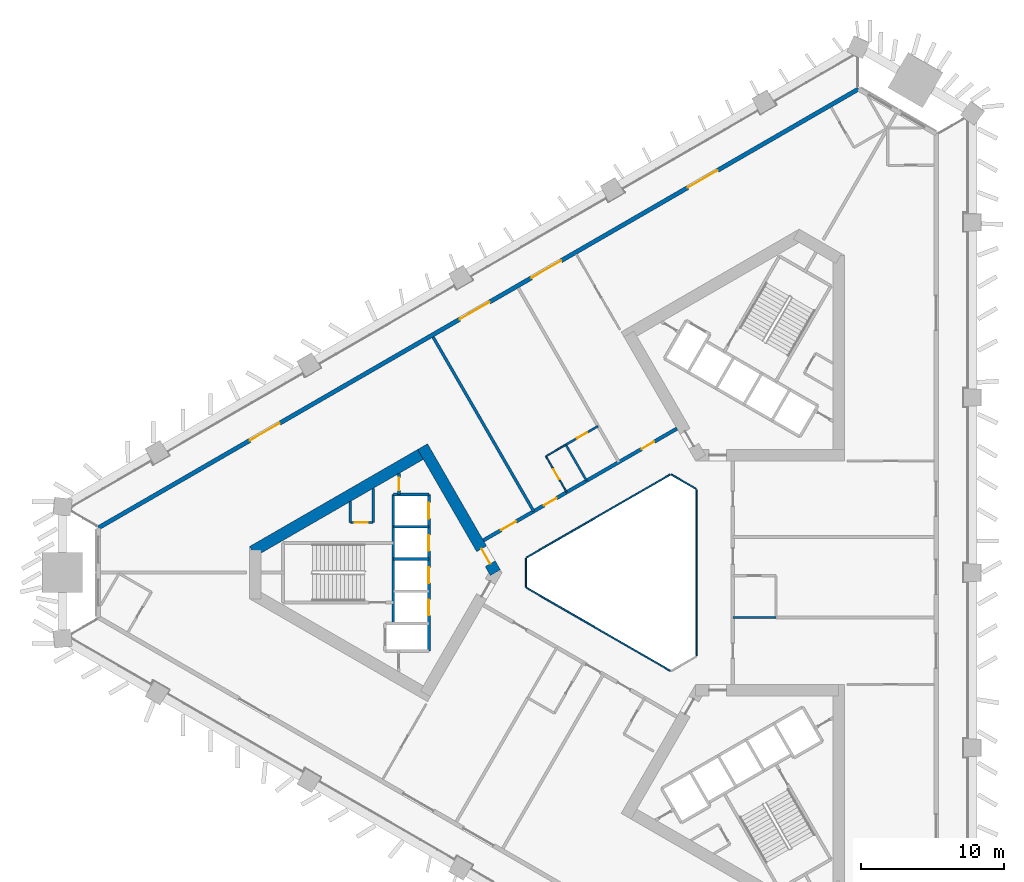
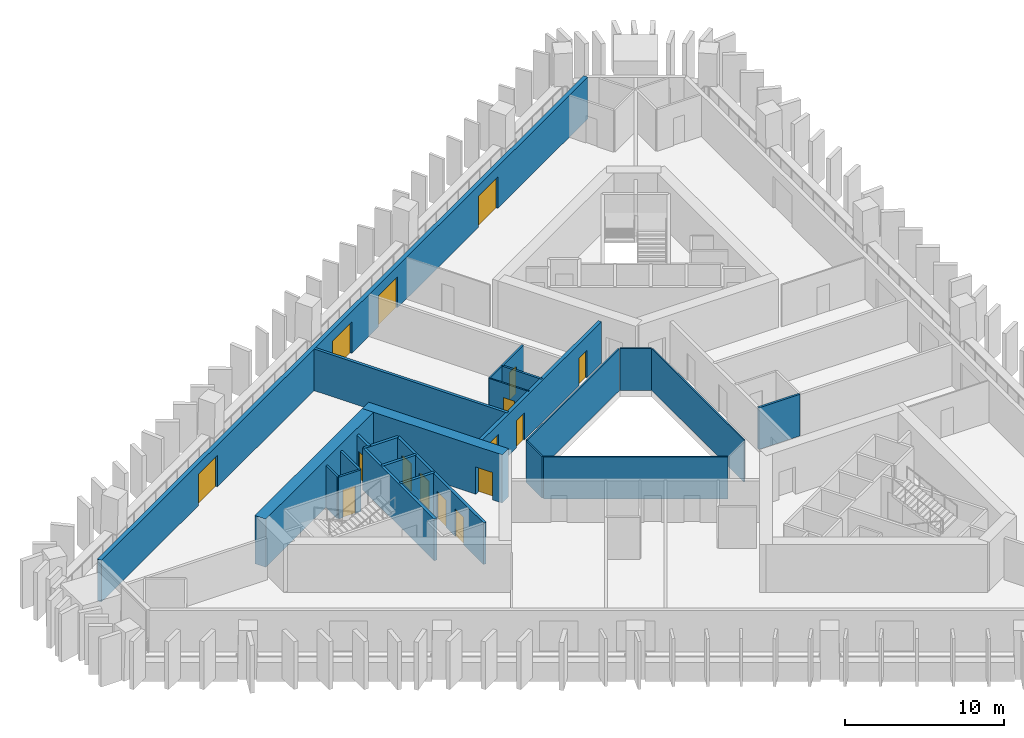
# One storey, part 4 of 10: 24 walls, 16 doors, 16 openings.
"""IFC4 building model written with IfcOpenShell, lengths in metres."""

from ifc_helpers import new_model, si_unit, direction, frame, frame_2d, origin, place, context, subcontext, project, spatial, rectangle, extrude, material, layer, layer_set, type_object, element, fill, save


model = new_model("IFC4")

# Units and contexts
model_context = context("Model", 3, precision=1e-05, world=origin(), true_north=direction((0.0, 1.0)))
body_context = subcontext(model_context, "Body", "Model", "MODEL_VIEW")
ifc_project = project(units=[si_unit("LENGTHUNIT", "METRE"), si_unit("AREAUNIT", "SQUARE_METRE"), si_unit("VOLUMEUNIT", "CUBIC_METRE"), si_unit("PLANEANGLEUNIT", "RADIAN"), si_unit("MASSUNIT", "GRAM", prefix="KILO")], contexts=[model_context])

# Site, building, storey
site_placement = place(None, origin())
site = spatial("IfcSite", under=ifc_project, at=site_placement, CompositionType="ELEMENT")
building_placement = place(site_placement, origin())
building = spatial("IfcBuilding", under=site, at=building_placement, Name="Jabali Bay Hotel Tower and Convention Centre", CompositionType="ELEMENT")
storey_placement = place(building_placement, frame((0.0, 0.0, 41.10009765625)))
storey = spatial("IfcBuildingStorey", under=building, at=storey_placement, Name="L08", CompositionType="ELEMENT", Elevation=41.10009765625)

# Walls
ifc_material_1 = material(Name="Fire-resistant glazing", Category="glass")
ifc_layer_1 = layer(ifc_material_1, 0.10009765625)
ifc_layer_set_1 = layer_set([ifc_layer_1], Name="Fire-resistant glazing")
wall_type_1 = type_object("IfcWallType", Name="Atrium glazed screen 100", PredefinedType="PARTITIONING", material=ifc_layer_set_1)
wall_1_placement = place(storey_placement, frame((79.56005859375, 74.205810546875, 0.0), z_axis=(0.0, 0.0, 1.0), x_axis=(0.0, 1.0, 0.0)))
element("IfcWall", 1, at=wall_1_placement, inside=storey, type_object=wall_type_1, Name="Atrium screen 1 L08", PredefinedType="PARTITIONING", context=body_context, shape_type="SweptSolid", body=[
    extrude(rectangle(XDim=11.58837890625, YDim=0.10009765625, at=frame_2d((5.794189453125, 0.0))), origin(), (0.0, 0.0, 1.0), 3.199951171875),
])
wall_2_placement = place(storey_placement, frame((79.530029296875, 85.84619140625, 0.0), z_axis=(0.0, 0.0, 1.0), x_axis=(-0.866041268327, 0.499972520799, 0.0)))
element("IfcWall", 2, at=wall_2_placement, inside=storey, type_object=wall_type_1, Name="Atrium screen 2 L08", PredefinedType="PARTITIONING", context=body_context, shape_type="SweptSolid", body=[
    extrude(rectangle(XDim=2.0, YDim=0.10009765625, at=frame_2d((1.0, 0.0))), origin(), (0.0, 0.0, 1.0), 3.199951171875),
])
wall_3_placement = place(storey_placement, frame((77.738037109375, 86.84619140625, 0.0), z_axis=(0.0, 0.0, 1.0), x_axis=(-0.866026658274, -0.499997827154, 0.0)))
element("IfcWall", 3, at=wall_3_placement, inside=storey, type_object=wall_type_1, Name="Atrium screen 3 L08", PredefinedType="PARTITIONING", context=body_context, shape_type="SweptSolid", body=[
    extrude(rectangle(XDim=11.58837890625, YDim=0.10009765625, at=frame_2d((5.794189453125, 0.0))), origin(), (0.0, 0.0, 1.0), 3.199951171875),
])
wall_4_placement = place(storey_placement, frame((67.672119140625, 81.0, 0.0), z_axis=(0.0, 0.0, 1.0), x_axis=(0.0, -1.0, 0.0)))
element("IfcWall", 4, at=wall_4_placement, inside=storey, type_object=wall_type_1, Name="Atrium screen 4 L08", PredefinedType="PARTITIONING", context=body_context, shape_type="SweptSolid", body=[
    extrude(rectangle(XDim=2.0, YDim=0.10009765625, at=frame_2d((1.0, 0.0))), origin(), (0.0, 0.0, 1.0), 3.199951171875),
])
wall_5_placement = place(storey_placement, frame((67.7021484375, 78.947998046875, 0.0), z_axis=(0.0, 0.0, 1.0), x_axis=(0.866026658274, -0.499997827154, 0.0)))
element("IfcWall", 5, at=wall_5_placement, inside=storey, type_object=wall_type_1, Name="Atrium screen 5 L08", PredefinedType="PARTITIONING", context=body_context, shape_type="SweptSolid", body=[
    extrude(rectangle(XDim=11.58837890625, YDim=0.10009765625, at=frame_2d((5.794189453125, 0.0))), origin(), (0.0, 0.0, 1.0), 3.199951171875),
])

# Wall, opening, door
ifc_material_2 = material(Name="Concrete C40", Category="concrete")
ifc_layer_2 = layer(ifc_material_2, 0.199951171875)
ifc_layer_set_2 = layer_set([ifc_layer_2], Name="Concrete C40")
wall_type_2 = type_object("IfcWallType", Name="Core partition wall 200", PredefinedType="PARTITIONING", material=ifc_layer_set_2)
wall_6_placement = place(storey_placement, frame((58.820068359375, 86.916748046875, 0.0), z_axis=(0.0, 0.0, 1.0), x_axis=(0.0, -1.0, 0.0)))
wall_6 = element("IfcWall", 6, at=wall_6_placement, inside=storey, type_object=wall_type_2, Name="Core wall 0.11 L08", PredefinedType="PARTITIONING", context=body_context, shape_type="SweptSolid", body=[
    extrude(rectangle(XDim=1.466796875, YDim=0.199951171875, at=frame_2d((0.7333984375, 0.0))), origin(), (0.0, 0.0, 1.0), 3.199951171875),
])
opening_1_placement = place(wall_6_placement, frame((0.283447265625, 0.0, 0.0)))
opening_1 = element("IfcOpeningElement", 7, at=opening_1_placement, cuts=wall_6, Name="Opening D255", PredefinedType="OPENING", context=body_context, shape_type="SweptSolid", body=[
    extrude(rectangle(XDim=0.89990234375, YDim=2.10009765625, at=frame_2d((0.449951171875, 1.050048828125))), frame((0.0, 0.1103515625, 0.0), z_axis=(0.0, -1.0, 0.0), x_axis=(1.0, 0.0, 0.0)), (0.0, 0.0, 1.0), 0.220947265625),
])
ifc_material_3 = material(Name="Fire-rated steel door", Category="steel")
door_type_1 = type_object("IfcDoorType", Name="Vestibule fire door 900 x 2100", OperationType="NOTDEFINED", PredefinedType="NOTDEFINED", material=ifc_material_3)
door_1_placement = place(opening_1_placement, origin())
door_1 = element("IfcDoor", 8, at=door_1_placement, inside=storey, type_object=door_type_1, Name="Vestibule fire door D255", OperationType="SINGLE_SWING_LEFT", OverallHeight=2.10009765625, OverallWidth=0.89990234375, PredefinedType="NOTDEFINED", context=body_context, shape_type="SweptSolid", body=[
    extrude(rectangle(XDim=0.89990234375, YDim=2.10009765625, at=frame_2d((0.449951171875, 1.050048828125))), frame((0.0, 0.02490234375, 0.0), z_axis=(0.0, -1.0, 0.0), x_axis=(1.0, 0.0, 0.0)), (0.0, 0.0, 1.0), 0.050048828125),
])
fill(opening_1, door_1)

ifc_material_4 = material(Name="Fire-rated board partition")
ifc_layer_3 = layer(ifc_material_4, 0.14990234375)
ifc_layer_set_3 = layer_set([ifc_layer_3], Name="Fire-rated board partition")
wall_type_3 = type_object("IfcWallType", Name="Core room partition 150", PredefinedType="PARTITIONING", material=ifc_layer_set_3)
wall_7_placement = place(storey_placement, frame((57.02001953125, 83.5, 0.0), z_axis=(0.0, 0.0, 1.0), x_axis=(-1.0, 0.0, 0.0)))
wall_7 = element("IfcWall", 9, at=wall_7_placement, inside=storey, type_object=wall_type_3, Name="Core wall 0.1 L08", PredefinedType="PARTITIONING", context=body_context, shape_type="SweptSolid", body=[
    extrude(rectangle(XDim=1.60009765625, YDim=0.14990234375, at=frame_2d((0.800048828125, 0.0))), origin(), (0.0, 0.0, 1.0), 3.199951171875),
])
opening_2_placement = place(wall_7_placement, frame((0.387451171875, 0.0, 0.0)))
opening_2 = element("IfcOpeningElement", 10, at=opening_2_placement, cuts=wall_7, Name="Opening D257", PredefinedType="OPENING", context=body_context, shape_type="SweptSolid", body=[
    extrude(rectangle(XDim=0.89990234375, YDim=2.10009765625, at=frame_2d((0.449951171875, 1.050048828125))), frame((0.0, 0.08544921875, 0.0), z_axis=(0.0, -1.0, 0.0), x_axis=(1.0, 0.0, 0.0)), (0.0, 0.0, 1.0), 0.1708984375),
])
door_type_2 = type_object("IfcDoorType", Name="Core room door 900 x 2100", OperationType="NOTDEFINED", PredefinedType="NOTDEFINED", material=ifc_material_3)
door_2_placement = place(opening_2_placement, origin())
door_2 = element("IfcDoor", 11, at=door_2_placement, inside=storey, type_object=door_type_2, Name="Core room door D257", OperationType="SINGLE_SWING_LEFT", OverallHeight=2.10009765625, OverallWidth=0.89990234375, PredefinedType="NOTDEFINED", context=body_context, shape_type="SweptSolid", body=[
    extrude(rectangle(XDim=0.89990234375, YDim=2.10009765625, at=frame_2d((0.449951171875, 1.050048828125))), frame((0.0, 0.02490234375, 0.0), z_axis=(0.0, -1.0, 0.0), x_axis=(1.0, 0.0, 0.0)), (0.0, 0.0, 1.0), 0.050048828125),
])
fill(opening_2, door_2)

# Walls
wall_8_placement = place(storey_placement, frame((57.02001953125, 85.87744140625, 0.0), z_axis=(0.0, 0.0, 1.0), x_axis=(0.0, -1.0, 0.0)))
element("IfcWall", 12, at=wall_8_placement, inside=storey, type_object=wall_type_3, Name="Core wall 0.15 L08", PredefinedType="PARTITIONING", context=body_context, shape_type="SweptSolid", body=[
    extrude(rectangle(XDim=2.37744140625, YDim=0.14990234375, at=frame_2d((1.188720703125, 0.0))), origin(), (0.0, 0.0, 1.0), 3.199951171875),
])
wall_9_placement = place(storey_placement, frame((55.419921875, 84.95361328125, 0.0), z_axis=(0.0, 0.0, 1.0), x_axis=(0.0, -1.0, 0.0)))
element("IfcWall", 13, at=wall_9_placement, inside=storey, type_object=wall_type_3, Name="Core wall 0.16 L08", PredefinedType="PARTITIONING", context=body_context, shape_type="SweptSolid", body=[
    extrude(rectangle(XDim=1.45361328125, YDim=0.14990234375, at=frame_2d((0.726806640625, 0.0))), origin(), (0.0, 0.0, 1.0), 3.199951171875),
])
ifc_layer_4 = layer(ifc_material_2, 0.199951171875)
ifc_layer_set_4 = layer_set([ifc_layer_4], Name="Concrete C40")
wall_type_4 = type_object("IfcWallType", Name="Core stair wall 200", PredefinedType="SOLIDWALL", material=ifc_layer_set_4)
for number, where, z_axis, x_axis, name in (
    (14, (60.89990234375, 85.449951171875, 0.0), (0.0, 0.0, 1.0), (-1.0, 0.0, 0.0), "Core wall 0.0 L08"),
    (15, (60.89990234375, 83.199951171875, 0.0), (0.0, 0.0, 1.0), (-1.0, 0.0, 0.0), "Core wall 0.2 L08"),
    (16, (60.89990234375, 80.949951171875, 0.0), (0.0, 0.0, 1.0), (-1.0, 0.0, 0.0), "Core wall 0.4 L08"),
):
    element("IfcWall", number, at=place(storey_placement, frame(where, z_axis=z_axis, x_axis=x_axis)), inside=storey, type_object=wall_type_4, Name=name, PredefinedType="SOLIDWALL", context=body_context, shape_type="SweptSolid", body=[
        extrude(rectangle(XDim=2.47998046875, YDim=0.199951171875, at=frame_2d((1.239990234375, 0.0))), origin(), (0.0, 0.0, 1.0), 3.199951171875),
    ])

# Wall, openings, doors
wall_10_placement = place(storey_placement, frame((60.89990234375, 85.449951171875, 0.0), z_axis=(0.0, 0.0, 1.0), x_axis=(0.0, -1.0, 0.0)))
wall_10 = element("IfcWall", 17, at=wall_10_placement, inside=storey, type_object=wall_type_4, Name="Core wall 0.10 L08", PredefinedType="SOLIDWALL", context=body_context, shape_type="SweptSolid", body=[
    extrude(rectangle(XDim=10.89990234375, YDim=0.199951171875, at=frame_2d((5.449951171875, 0.0))), origin(), (0.0, 0.0, 1.0), 3.199951171875),
])
opening_3_placement = place(wall_10_placement, frame((0.574951171875, 0.0, 0.0)))
opening_3 = element("IfcOpeningElement", 18, at=opening_3_placement, cuts=wall_10, Name="Opening LD1-L08", PredefinedType="OPENING", context=body_context, shape_type="SweptSolid", body=[
    extrude(rectangle(XDim=1.10009765625, YDim=2.10009765625, at=frame_2d((0.550048828125, 1.050048828125))), frame((0.0, 0.1103515625, 0.0), z_axis=(0.0, -1.0, 0.0), x_axis=(1.0, 0.0, 0.0)), (0.0, 0.0, 1.0), 0.220947265625),
])
opening_4_placement = place(wall_10_placement, frame((2.824951171875, 0.0, 0.0)))
opening_4 = element("IfcOpeningElement", 19, at=opening_4_placement, cuts=wall_10, Name="Opening LD2-L08", PredefinedType="OPENING", context=body_context, shape_type="SweptSolid", body=[
    extrude(rectangle(XDim=1.10009765625, YDim=2.10009765625, at=frame_2d((0.550048828125, 1.050048828125))), frame((0.0, 0.1103515625, 0.0), z_axis=(0.0, -1.0, 0.0), x_axis=(1.0, 0.0, 0.0)), (0.0, 0.0, 1.0), 0.220947265625),
])
opening_5_placement = place(wall_10_placement, frame((5.074951171875, 0.0, 0.0)))
opening_5 = element("IfcOpeningElement", 20, at=opening_5_placement, cuts=wall_10, Name="Opening LD3-L08", PredefinedType="OPENING", context=body_context, shape_type="SweptSolid", body=[
    extrude(rectangle(XDim=1.10009765625, YDim=2.10009765625, at=frame_2d((0.550048828125, 1.050048828125))), frame((0.0, 0.1103515625, 0.0), z_axis=(0.0, -1.0, 0.0), x_axis=(1.0, 0.0, 0.0)), (0.0, 0.0, 1.0), 0.220947265625),
])
opening_6_placement = place(wall_10_placement, frame((7.324951171875, 0.0, 0.0)))
opening_6 = element("IfcOpeningElement", 21, at=opening_6_placement, cuts=wall_10, Name="Opening LD4-L08", PredefinedType="OPENING", context=body_context, shape_type="SweptSolid", body=[
    extrude(rectangle(XDim=1.10009765625, YDim=2.10009765625, at=frame_2d((0.550048828125, 1.050048828125))), frame((0.0, 0.1103515625, 0.0), z_axis=(0.0, -1.0, 0.0), x_axis=(1.0, 0.0, 0.0)), (0.0, 0.0, 1.0), 0.220947265625),
])
ifc_material_5 = material(Name="Stainless steel landing door", Category="steel")
door_type_3 = type_object("IfcDoorType", Name="Landing door 1100 x 2100", OperationType="NOTDEFINED", PredefinedType="NOTDEFINED", material=ifc_material_5)
door_3_placement = place(opening_3_placement, origin())
door_3 = element("IfcDoor", 22, at=door_3_placement, inside=storey, type_object=door_type_3, Name="Landing doors LD1-L08", OperationType="SLIDING_TO_RIGHT", OverallHeight=2.10009765625, OverallWidth=1.10009765625, PredefinedType="NOTDEFINED", context=body_context, shape_type="SweptSolid", body=[
    extrude(rectangle(XDim=1.10009765625, YDim=2.10009765625, at=frame_2d((0.550048828125, 1.050048828125))), frame((0.0, 0.02490234375, 0.0), z_axis=(0.0, -1.0, 0.0), x_axis=(1.0, 0.0, 0.0)), (0.0, 0.0, 1.0), 0.050048828125),
])
fill(opening_3, door_3)
door_4_placement = place(opening_4_placement, origin())
door_4 = element("IfcDoor", 23, at=door_4_placement, inside=storey, type_object=door_type_3, Name="Landing doors LD2-L08", OperationType="SLIDING_TO_LEFT", OverallHeight=2.10009765625, OverallWidth=1.10009765625, PredefinedType="NOTDEFINED", context=body_context, shape_type="SweptSolid", body=[
    extrude(rectangle(XDim=1.10009765625, YDim=2.10009765625, at=frame_2d((0.550048828125, 1.050048828125))), frame((0.0, 0.02490234375, 0.0), z_axis=(0.0, -1.0, 0.0), x_axis=(1.0, 0.0, 0.0)), (0.0, 0.0, 1.0), 0.050048828125),
])
fill(opening_4, door_4)
door_5_placement = place(opening_5_placement, origin())
door_5 = element("IfcDoor", 24, at=door_5_placement, inside=storey, type_object=door_type_3, Name="Landing doors LD3-L08", OperationType="SLIDING_TO_RIGHT", OverallHeight=2.10009765625, OverallWidth=1.10009765625, PredefinedType="NOTDEFINED", context=body_context, shape_type="SweptSolid", body=[
    extrude(rectangle(XDim=1.10009765625, YDim=2.10009765625, at=frame_2d((0.550048828125, 1.050048828125))), frame((0.0, 0.02490234375, 0.0), z_axis=(0.0, -1.0, 0.0), x_axis=(1.0, 0.0, 0.0)), (0.0, 0.0, 1.0), 0.050048828125),
])
fill(opening_5, door_5)
door_6_placement = place(opening_6_placement, origin())
door_6 = element("IfcDoor", 25, at=door_6_placement, inside=storey, type_object=door_type_3, Name="Landing doors LD4-L08", OperationType="SLIDING_TO_LEFT", OverallHeight=2.10009765625, OverallWidth=1.10009765625, PredefinedType="NOTDEFINED", context=body_context, shape_type="SweptSolid", body=[
    extrude(rectangle(XDim=1.10009765625, YDim=2.10009765625, at=frame_2d((0.550048828125, 1.050048828125))), frame((0.0, 0.02490234375, 0.0), z_axis=(0.0, -1.0, 0.0), x_axis=(1.0, 0.0, 0.0)), (0.0, 0.0, 1.0), 0.050048828125),
])
fill(opening_6, door_6)

# Wall
wall_11_placement = place(storey_placement, frame((58.419921875, 85.449951171875, 0.0), z_axis=(0.0, 0.0, 1.0), x_axis=(0.0, -1.0, 0.0)))
element("IfcWall", 26, at=wall_11_placement, inside=storey, type_object=wall_type_4, Name="Core wall 0.13 L08", PredefinedType="SOLIDWALL", context=body_context, shape_type="SweptSolid", body=[
    extrude(rectangle(XDim=9.0, YDim=0.199951171875, at=frame_2d((4.5, 0.0))), origin(), (0.0, 0.0, 1.0), 3.199951171875),
])

# Wall, opening, door
ifc_material_6 = material(Name="Concrete C60", Category="concrete")
ifc_layer_5 = layer(ifc_material_6, 0.800048828125)
ifc_layer_set_5 = layer_set([ifc_layer_5], Name="Concrete C60")
wall_type_5 = type_object("IfcWallType", Name="Core wall 800", PredefinedType="SHEAR", material=ifc_layer_set_5)
wall_12_placement = place(storey_placement, frame((65.5380859375, 80.0, 0.0), z_axis=(0.0, 0.0, 1.0), x_axis=(-0.49999662545, 0.866027352073, 0.0)))
wall_12 = element("IfcWall", 27, at=wall_12_placement, inside=storey, type_object=wall_type_5, Name="Core wall 1.1 L08", PredefinedType="SHEAR", context=body_context, shape_type="SweptSolid", body=[
    extrude(rectangle(XDim=10.14892578125, YDim=0.800048828125, at=frame_2d((5.074462890625, 0.0))), origin(), (0.0, 0.0, 1.0), 3.699951171875),
])
opening_7_placement = place(wall_12_placement, frame((0.718994140625, 0.0, 0.0)))
opening_7 = element("IfcOpeningElement", 28, at=opening_7_placement, cuts=wall_12, Name="Opening D252", PredefinedType="OPENING", context=body_context, shape_type="SweptSolid", body=[
    extrude(rectangle(XDim=1.199951171875, YDim=2.10009765625, at=frame_2d((0.60009765625, 1.050048828125))), frame((0.0, 0.41064453125, 0.0), z_axis=(0.0, -1.0, 0.0), x_axis=(1.0, 0.0, 0.0)), (0.0, 0.0, 1.0), 0.821044921875),
])
door_type_4 = type_object("IfcDoorType", Name="Corridor end fire door 1200 x 2100", OperationType="NOTDEFINED", PredefinedType="NOTDEFINED", material=ifc_material_3)
door_7_placement = place(opening_7_placement, origin())
door_7 = element("IfcDoor", 29, at=door_7_placement, inside=storey, type_object=door_type_4, Name="Corridor end fire door D252", OperationType="SINGLE_SWING_RIGHT", OverallHeight=2.10009765625, OverallWidth=1.199951171875, PredefinedType="NOTDEFINED", context=body_context, shape_type="SweptSolid", body=[
    extrude(rectangle(XDim=1.199951171875, YDim=2.10009765625, at=frame_2d((0.60009765625, 1.050048828125))), frame((0.0, 0.02490234375, 0.0), z_axis=(0.0, -1.0, 0.0), x_axis=(1.0, 0.0, 0.0)), (0.0, 0.0, 1.0), 0.050048828125),
])
fill(opening_7, door_7)

# Wall
wall_13_placement = place(storey_placement, frame((60.66357421875, 88.44287109375, 0.0), z_axis=(0.0, 0.0, 1.0), x_axis=(-0.866029478545, -0.499992942241, 0.0)))
element("IfcWall", 30, at=wall_13_placement, inside=storey, type_object=wall_type_5, Name="Core wall 1.2 L08", PredefinedType="SHEAR", context=body_context, shape_type="SweptSolid", body=[
    extrude(rectangle(XDim=13.933349609375, YDim=0.800048828125, at=frame_2d((6.966796875, 0.0))), origin(), (0.0, 0.0, 1.0), 3.699951171875),
])

# Wall, openings, doors
ifc_layer_6 = layer(ifc_material_6, 0.25)
ifc_layer_set_6 = layer_set([ifc_layer_6], Name="Concrete C60")
wall_type_6 = type_object("IfcWallType", Name="Corridor wall 250", PredefinedType="SHEAR", material=ifc_layer_set_6)
wall_14_placement = place(storey_placement, frame((78.199951171875, 90.0458984375, 0.0), z_axis=(0.0, 0.0, 1.0), x_axis=(-0.866026492143, -0.499998114903, 0.0)))
wall_14 = element("IfcWall", 31, at=wall_14_placement, inside=storey, type_object=wall_type_6, Name="Corridor wall 2 L08", PredefinedType="SHEAR", context=body_context, shape_type="SweptSolid", body=[
    extrude(rectangle(XDim=15.58837890625, YDim=0.25, at=frame_2d((7.794189453125, 0.0))), origin(), (0.0, 0.0, 1.0), 3.199951171875),
])
opening_8_placement = place(wall_14_placement, frame((1.83837890625, 0.0, 0.0)))
opening_8 = element("IfcOpeningElement", 32, at=opening_8_placement, cuts=wall_14, Name="Opening 0809", PredefinedType="OPENING", context=body_context, shape_type="SweptSolid", body=[
    extrude(rectangle(XDim=1.0, YDim=2.10009765625, at=frame_2d((0.5, 1.050048828125))), frame((0.0, 0.135498046875, 0.0), z_axis=(0.0, -1.0, 0.0), x_axis=(1.0, 0.0, 0.0)), (0.0, 0.0, 1.0), 0.27099609375),
])
opening_9_placement = place(wall_14_placement, frame((9.7060546875, 0.0, 0.0)))
opening_9 = element("IfcOpeningElement", 33, at=opening_9_placement, cuts=wall_14, Name="Opening 0814", PredefinedType="OPENING", context=body_context, shape_type="SweptSolid", body=[
    extrude(rectangle(XDim=1.0, YDim=2.10009765625, at=frame_2d((0.5, 1.050048828125))), frame((0.0, 0.135498046875, 0.0), z_axis=(0.0, -1.0, 0.0), x_axis=(1.0, 0.0, 0.0)), (0.0, 0.0, 1.0), 0.27099609375),
])
opening_10_placement = place(wall_14_placement, frame((12.9619140625, 0.0, 0.0)))
opening_10 = element("IfcOpeningElement", 34, at=opening_10_placement, cuts=wall_14, Name="Opening 0815", PredefinedType="OPENING", context=body_context, shape_type="SweptSolid", body=[
    extrude(rectangle(XDim=1.199951171875, YDim=2.39990234375, at=frame_2d((0.60009765625, 1.199951171875))), frame((0.0, 0.135498046875, 0.0), z_axis=(0.0, -1.0, 0.0), x_axis=(1.0, 0.0, 0.0)), (0.0, 0.0, 1.0), 0.27099609375),
])
ifc_material_7 = material(Name="Timber", Category="wood")
door_type_5 = type_object("IfcDoorType", Name="Guest room door 1000 x 2100", OperationType="NOTDEFINED", PredefinedType="NOTDEFINED", material=ifc_material_7)
door_8_placement = place(opening_8_placement, origin())
door_8 = element("IfcDoor", 35, at=door_8_placement, inside=storey, type_object=door_type_5, Name="Door 0809", OperationType="SINGLE_SWING_LEFT", OverallHeight=2.10009765625, OverallWidth=1.0, PredefinedType="NOTDEFINED", context=body_context, shape_type="SweptSolid", body=[
    extrude(rectangle(XDim=1.0, YDim=2.10009765625, at=frame_2d((0.5, 1.050048828125))), frame((0.0, 0.02490234375, 0.0), z_axis=(0.0, -1.0, 0.0), x_axis=(1.0, 0.0, 0.0)), (0.0, 0.0, 1.0), 0.050048828125),
])
fill(opening_8, door_8)
door_9_placement = place(opening_9_placement, origin())
door_9 = element("IfcDoor", 36, at=door_9_placement, inside=storey, type_object=door_type_5, Name="Door 0814", OperationType="SINGLE_SWING_RIGHT", OverallHeight=2.10009765625, OverallWidth=1.0, PredefinedType="NOTDEFINED", context=body_context, shape_type="SweptSolid", body=[
    extrude(rectangle(XDim=1.0, YDim=2.10009765625, at=frame_2d((0.5, 1.050048828125))), frame((0.0, 0.02490234375, 0.0), z_axis=(0.0, -1.0, 0.0), x_axis=(1.0, 0.0, 0.0)), (0.0, 0.0, 1.0), 0.050048828125),
])
fill(opening_9, door_9)
door_type_6 = type_object("IfcDoorType", Name="Public room door 1200 x 2400", OperationType="NOTDEFINED", PredefinedType="NOTDEFINED", material=ifc_material_7)
door_10_placement = place(opening_10_placement, origin())
door_10 = element("IfcDoor", 37, at=door_10_placement, inside=storey, type_object=door_type_6, Name="Door 0815", OperationType="SINGLE_SWING_RIGHT", OverallHeight=2.39990234375, OverallWidth=1.199951171875, PredefinedType="NOTDEFINED", context=body_context, shape_type="SweptSolid", body=[
    extrude(rectangle(XDim=1.199951171875, YDim=2.39990234375, at=frame_2d((0.60009765625, 1.199951171875))), frame((0.0, 0.02490234375, 0.0), z_axis=(0.0, -1.0, 0.0), x_axis=(1.0, 0.0, 0.0)), (0.0, 0.0, 1.0), 0.050048828125),
])
fill(opening_10, door_10)

ifc_layer_7 = layer(ifc_material_2, 0.300048828125)
ifc_layer_set_7 = layer_set([ifc_layer_7], Name="Concrete C40")
wall_type_7 = type_object("IfcWallType", Name="External wall 300", PredefinedType="SOLIDWALL", material=ifc_layer_set_7)
wall_15_placement = place(storey_placement, frame((37.8701171875, 83.13037109375, 0.0), z_axis=(0.0, 0.0, 1.0), x_axis=(0.866026630825, 0.499997874697, 0.0)))
wall_15 = element("IfcWall", 38, at=wall_15_placement, inside=storey, type_object=wall_type_7, Name="External wall north-west face L08", PredefinedType="SOLIDWALL", context=body_context, shape_type="SweptSolid", body=[
    extrude(rectangle(XDim=61.180419921875, YDim=0.300048828125, at=frame_2d((30.59033203125, 0.0))), origin(), (0.0, 0.0, 1.0), 3.199951171875),
])
opening_11_placement = place(wall_15_placement, frame((12.18115234375, 0.0, 0.0)))
opening_11 = element("IfcOpeningElement", 39, at=opening_11_placement, cuts=wall_15, Name="Opening SD1", PredefinedType="OPENING", context=body_context, shape_type="SweptSolid", body=[
    extrude(rectangle(XDim=2.39990234375, YDim=2.39990234375, at=frame_2d((1.199951171875, 1.199951171875))), frame((0.0, 0.16064453125, 0.0), z_axis=(0.0, -1.0, 0.0), x_axis=(1.0, 0.0, 0.0)), (0.0, 0.0, 1.0), 0.321044921875),
])
opening_12_placement = place(wall_15_placement, frame((34.84619140625, 0.0, 0.0)))
opening_12 = element("IfcOpeningElement", 40, at=opening_12_placement, cuts=wall_15, Name="Opening SD1", PredefinedType="OPENING", context=body_context, shape_type="SweptSolid", body=[
    extrude(rectangle(XDim=2.39990234375, YDim=2.39990234375, at=frame_2d((1.199951171875, 1.199951171875))), frame((0.0, 0.16064453125, 0.0), z_axis=(0.0, -1.0, 0.0), x_axis=(1.0, 0.0, 0.0)), (0.0, 0.0, 1.0), 0.321044921875),
])
opening_13_placement = place(wall_15_placement, frame((47.43896484375, 0.0, 0.0)))
opening_13 = element("IfcOpeningElement", 41, at=opening_13_placement, cuts=wall_15, Name="Opening SD1", PredefinedType="OPENING", context=body_context, shape_type="SweptSolid", body=[
    extrude(rectangle(XDim=2.39990234375, YDim=2.39990234375, at=frame_2d((1.199951171875, 1.199951171875))), frame((0.0, 0.16064453125, 0.0), z_axis=(0.0, -1.0, 0.0), x_axis=(1.0, 0.0, 0.0)), (0.0, 0.0, 1.0), 0.321044921875),
])
opening_14_placement = place(wall_15_placement, frame((29.078369140625, 0.0, 0.0)))
opening_14 = element("IfcOpeningElement", 42, at=opening_14_placement, cuts=wall_15, Name="Opening SD1", PredefinedType="OPENING", context=body_context, shape_type="SweptSolid", body=[
    extrude(rectangle(XDim=2.39990234375, YDim=2.39990234375, at=frame_2d((1.199951171875, 1.199951171875))), frame((0.0, 0.16064453125, 0.0), z_axis=(0.0, -1.0, 0.0), x_axis=(1.0, 0.0, 0.0)), (0.0, 0.0, 1.0), 0.321044921875),
])
ifc_material_8 = material(Name="Glass", Category="glass")
door_type_7 = type_object("IfcDoorType", Name="Loggia sliding door 2400 x 2400", OperationType="NOTDEFINED", PredefinedType="NOTDEFINED", material=ifc_material_8)
door_11_placement = place(opening_11_placement, origin())
door_11 = element("IfcDoor", 43, at=door_11_placement, inside=storey, type_object=door_type_7, Name="Loggia sliding door 806", OperationType="SLIDING_TO_LEFT", OverallHeight=2.39990234375, OverallWidth=2.39990234375, PredefinedType="NOTDEFINED", context=body_context, shape_type="SweptSolid", body=[
    extrude(rectangle(XDim=2.39990234375, YDim=2.39990234375, at=frame_2d((1.199951171875, 1.199951171875))), frame((0.0, 0.02490234375, 0.0), z_axis=(0.0, -1.0, 0.0), x_axis=(1.0, 0.0, 0.0)), (0.0, 0.0, 1.0), 0.050048828125),
])
fill(opening_11, door_11)
door_12_placement = place(opening_12_placement, origin())
door_12 = element("IfcDoor", 44, at=door_12_placement, inside=storey, type_object=door_type_7, Name="Loggia sliding door 804", OperationType="SLIDING_TO_RIGHT", OverallHeight=2.39990234375, OverallWidth=2.39990234375, PredefinedType="NOTDEFINED", context=body_context, shape_type="SweptSolid", body=[
    extrude(rectangle(XDim=2.39990234375, YDim=2.39990234375, at=frame_2d((1.199951171875, 1.199951171875))), frame((0.0, 0.02490234375, 0.0), z_axis=(0.0, -1.0, 0.0), x_axis=(1.0, 0.0, 0.0)), (0.0, 0.0, 1.0), 0.050048828125),
])
fill(opening_12, door_12)
door_13_placement = place(opening_13_placement, origin())
door_13 = element("IfcDoor", 45, at=door_13_placement, inside=storey, type_object=door_type_7, Name="Loggia sliding door 804", OperationType="SLIDING_TO_LEFT", OverallHeight=2.39990234375, OverallWidth=2.39990234375, PredefinedType="NOTDEFINED", context=body_context, shape_type="SweptSolid", body=[
    extrude(rectangle(XDim=2.39990234375, YDim=2.39990234375, at=frame_2d((1.199951171875, 1.199951171875))), frame((0.0, 0.02490234375, 0.0), z_axis=(0.0, -1.0, 0.0), x_axis=(1.0, 0.0, 0.0)), (0.0, 0.0, 1.0), 0.050048828125),
])
fill(opening_13, door_13)
door_14_placement = place(opening_14_placement, origin())
door_14 = element("IfcDoor", 46, at=door_14_placement, inside=storey, type_object=door_type_7, Name="Loggia sliding door 805", OperationType="SLIDING_TO_RIGHT", OverallHeight=2.39990234375, OverallWidth=2.39990234375, PredefinedType="NOTDEFINED", context=body_context, shape_type="SweptSolid", body=[
    extrude(rectangle(XDim=2.39990234375, YDim=2.39990234375, at=frame_2d((1.199951171875, 1.199951171875))), frame((0.0, 0.02490234375, 0.0), z_axis=(0.0, -1.0, 0.0), x_axis=(1.0, 0.0, 0.0)), (0.0, 0.0, 1.0), 0.050048828125),
])
fill(opening_14, door_14)

# Wall, opening, door
ifc_material_9 = material(Name="Plasterboard on steel stud", Category="steel")
ifc_layer_8 = layer(ifc_material_9, 0.10009765625)
ifc_layer_set_8 = layer_set([ifc_layer_8], Name="Plasterboard on steel stud")
wall_type_8 = type_object("IfcWallType", Name="Partition 100 unit", PredefinedType="PARTITIONING", material=ifc_layer_set_8)
wall_16_placement = place(storey_placement, frame((70.5126953125, 85.607666015625, 0.0), z_axis=(0.0, 0.0, 1.0), x_axis=(-0.499987231761, 0.866032775405, 0.0)))
wall_16 = element("IfcWall", 47, at=wall_16_placement, inside=storey, type_object=wall_type_8, Name="Partition P02 L08 022", PredefinedType="PARTITIONING", context=body_context, shape_type="SweptSolid", body=[
    extrude(rectangle(XDim=2.89990234375, YDim=0.10009765625, at=frame_2d((1.449951171875, 0.0))), origin(), (0.0, 0.0, 1.0), 3.199951171875),
])
opening_15_placement = place(wall_16_placement, frame((1.050048828125, 0.0, 0.0)))
opening_15 = element("IfcOpeningElement", 48, at=opening_15_placement, cuts=wall_16, Name="Opening 0813", PredefinedType="OPENING", context=body_context, shape_type="SweptSolid", body=[
    extrude(rectangle(XDim=0.800048828125, YDim=2.10009765625, at=frame_2d((0.39990234375, 1.050048828125))), frame((0.0, 0.060546875, 0.0), z_axis=(0.0, -1.0, 0.0), x_axis=(1.0, 0.0, 0.0)), (0.0, 0.0, 1.0), 0.12109375),
])
door_type_8 = type_object("IfcDoorType", Name="Dressing room door 800 x 2100", OperationType="NOTDEFINED", PredefinedType="NOTDEFINED", material=ifc_material_7)
door_15_placement = place(opening_15_placement, origin())
door_15 = element("IfcDoor", 49, at=door_15_placement, inside=storey, type_object=door_type_8, Name="Door 0813", OperationType="SINGLE_SWING_RIGHT", OverallHeight=2.10009765625, OverallWidth=0.800048828125, PredefinedType="NOTDEFINED", context=body_context, shape_type="SweptSolid", body=[
    extrude(rectangle(XDim=0.800048828125, YDim=2.10009765625, at=frame_2d((0.39990234375, 1.050048828125))), frame((0.0, 0.02490234375, 0.0), z_axis=(0.0, -1.0, 0.0), x_axis=(1.0, 0.0, 0.0)), (0.0, 0.0, 1.0), 0.050048828125),
])
fill(opening_15, door_15)

# Walls
wall_17_placement = place(storey_placement, frame((69.062744140625, 88.119140625, 0.0), z_axis=(0.0, 0.0, 1.0), x_axis=(0.865989903783, 0.500061482766, 0.0)))
element("IfcWall", 50, at=wall_17_placement, inside=storey, type_object=wall_type_8, Name="Partition P02 L08 023", PredefinedType="PARTITIONING", context=body_context, shape_type="SweptSolid", body=[
    extrude(rectangle(XDim=1.599853515625, YDim=0.10009765625, at=frame_2d((0.7998046875, 0.0))), origin(), (0.0, 0.0, 1.0), 3.199951171875),
])
ifc_layer_9 = layer(ifc_material_9, 0.14990234375)
ifc_layer_set_9 = layer_set([ifc_layer_9], Name="Plasterboard on steel stud")
wall_type_9 = type_object("IfcWallType", Name="Partition 150 wet", PredefinedType="PARTITIONING", material=ifc_layer_set_9)
wall_18_placement = place(storey_placement, frame((85.10009765625, 76.88232421875, 0.0), z_axis=(0.0, 0.0, 1.0), x_axis=(-1.0, 0.0, 0.0)))
element("IfcWall", 51, at=wall_18_placement, inside=storey, type_object=wall_type_9, Name="Partition P03 L08 003", PredefinedType="PARTITIONING", context=body_context, shape_type="SweptSolid", body=[
    extrude(rectangle(XDim=3.0, YDim=0.14990234375, at=frame_2d((1.5, 0.0))), origin(), (0.0, 0.0, 1.0), 3.199951171875),
])

# Wall, opening, door
wall_19_placement = place(storey_placement, frame((70.4482421875, 88.919189453125, 0.0), z_axis=(0.0, 0.0, 1.0), x_axis=(0.866062058628, 0.499936506574, 0.0)))
wall_19 = element("IfcWall", 52, at=wall_19_placement, inside=storey, type_object=wall_type_9, Name="Partition P03 L08 021", PredefinedType="PARTITIONING", context=body_context, shape_type="SweptSolid", body=[
    extrude(rectangle(XDim=2.599853515625, YDim=0.14990234375, at=frame_2d((1.2998046875, 0.0))), origin(), (0.0, 0.0, 1.0), 3.199951171875),
])
opening_16_placement = place(wall_19_placement, frame((0.89990234375, 0.0, 0.0)))
opening_16 = element("IfcOpeningElement", 53, at=opening_16_placement, cuts=wall_19, Name="Opening 0812", PredefinedType="OPENING", context=body_context, shape_type="SweptSolid", body=[
    extrude(rectangle(XDim=0.800048828125, YDim=2.10009765625, at=frame_2d((0.39990234375, 1.050048828125))), frame((0.0, 0.08544921875, 0.0), z_axis=(0.0, -1.0, 0.0), x_axis=(1.0, 0.0, 0.0)), (0.0, 0.0, 1.0), 0.1708984375),
])
door_type_9 = type_object("IfcDoorType", Name="En-suite door 800 x 2100", OperationType="NOTDEFINED", PredefinedType="NOTDEFINED", material=ifc_material_7)
door_16_placement = place(opening_16_placement, origin())
door_16 = element("IfcDoor", 54, at=door_16_placement, inside=storey, type_object=door_type_9, Name="Door 0812", OperationType="SINGLE_SWING_LEFT", OverallHeight=2.10009765625, OverallWidth=0.800048828125, PredefinedType="NOTDEFINED", context=body_context, shape_type="SweptSolid", body=[
    extrude(rectangle(XDim=0.800048828125, YDim=2.10009765625, at=frame_2d((0.39990234375, 1.050048828125))), frame((0.0, 0.02490234375, 0.0), z_axis=(0.0, -1.0, 0.0), x_axis=(1.0, 0.0, 0.0)), (0.0, 0.0, 1.0), 0.050048828125),
])
fill(opening_16, door_16)

# Walls
wall_20_placement = place(storey_placement, frame((70.4482421875, 88.919189453125, 0.0), z_axis=(0.0, 0.0, 1.0), x_axis=(0.50005036918, -0.865996321171, 0.0)))
element("IfcWall", 55, at=wall_20_placement, inside=storey, type_object=wall_type_9, Name="Partition P03 L08 025", PredefinedType="PARTITIONING", context=body_context, shape_type="SweptSolid", body=[
    extrude(rectangle(XDim=2.900146484375, YDim=0.14990234375, at=frame_2d((1.4501953125, 0.0))), origin(), (0.0, 0.0, 1.0), 3.199951171875),
])
ifc_layer_10 = layer(ifc_material_9, 0.199951171875)
ifc_layer_set_10 = layer_set([ifc_layer_10], Name="Plasterboard on steel stud")
wall_type_10 = type_object("IfcWallType", Name="Partition 200 party", PredefinedType="PARTITIONING", material=ifc_layer_set_10)
wall_21_placement = place(storey_placement, frame((61.196533203125, 96.42578125, 0.0), z_axis=(0.0, 0.0, 1.0), x_axis=(0.499997162821, -0.866027041824, 0.0)))
element("IfcWall", 56, at=wall_21_placement, inside=storey, type_object=wall_type_10, Name="Partition P01 L08 024", PredefinedType="PARTITIONING", context=body_context, shape_type="SweptSolid", body=[
    extrude(rectangle(XDim=14.02685546875, YDim=0.199951171875, at=frame_2d((7.013427734375, 0.0))), origin(), (0.0, 0.0, 1.0), 3.199951171875),
])

save(model, "model.ifc")
